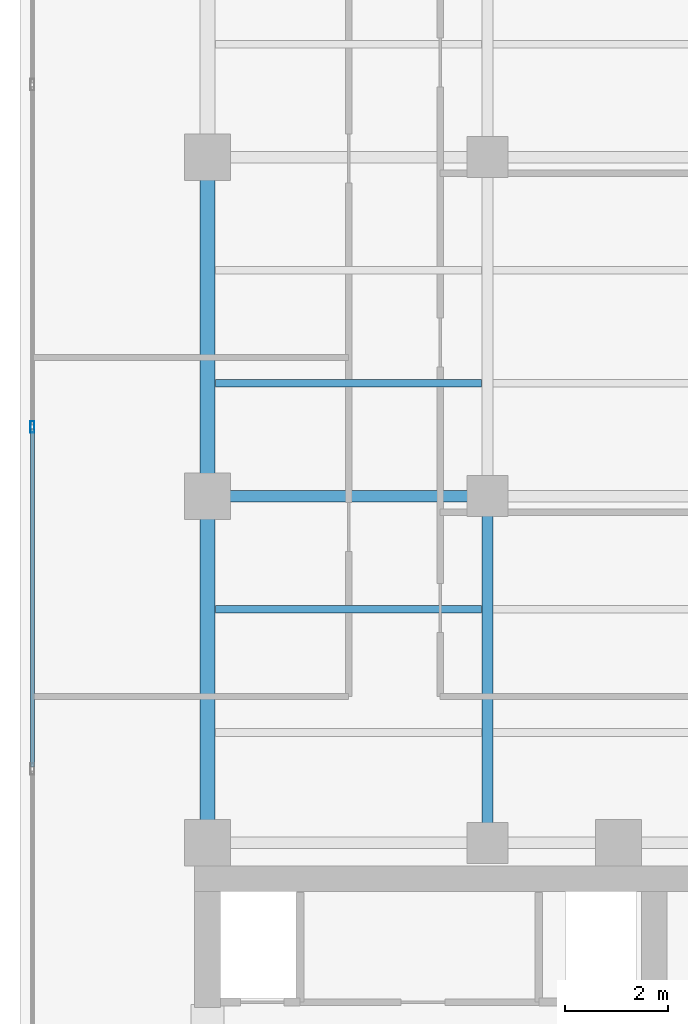
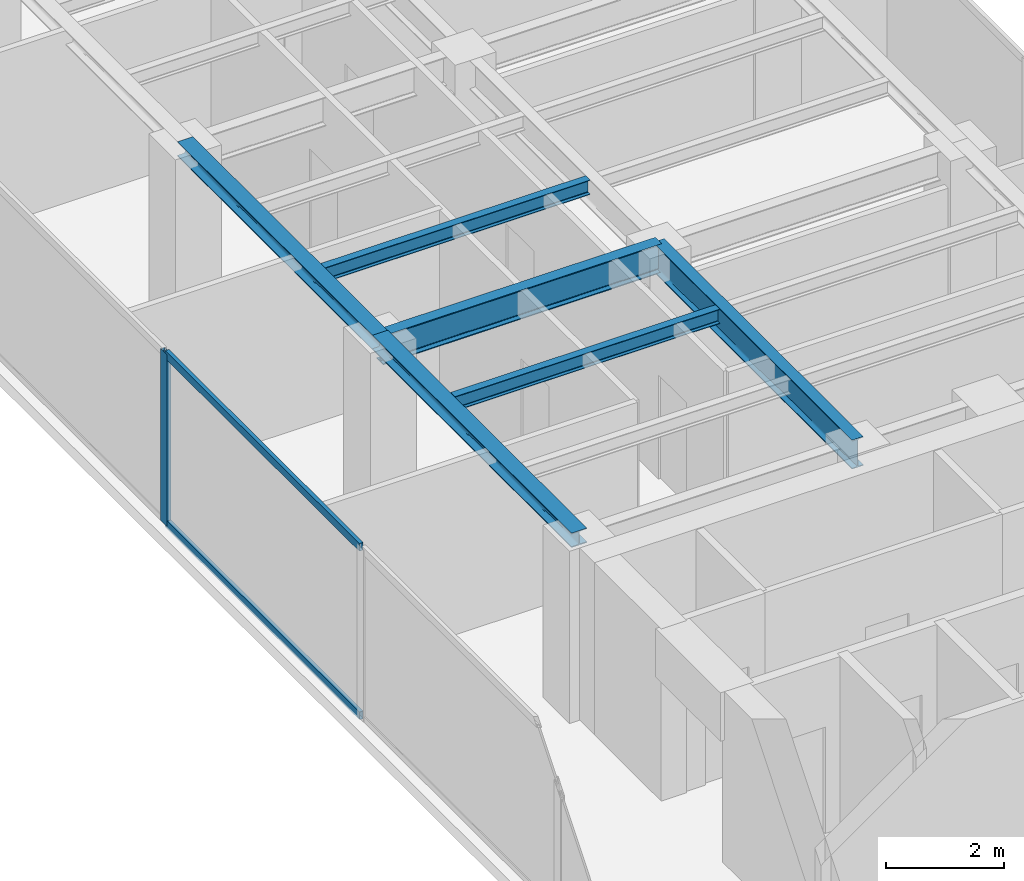
# One storey, part 8 of 22: 6 beams, 3 members, 1 element without a shape of its own.
"""IFC4 building model written with IfcOpenShell, lengths in metres."""

from ifc_helpers import new_model, si_unit, direction, frame, origin, origin_with_axes, origin_2d, place, context, subcontext, project, spatial, hollow_rectangle, i_section, extrude, source, transform, mapped, material, layer, layer_set, material_profile, profile_set, type_object, element, aggregate, save


model = new_model("IFC4")

# Units and contexts
model_context = context("Model", 3, precision=1e-05, world=origin(), true_north=direction((0.0, 1.0)))
body_context = subcontext(model_context, "Body", "Model", "MODEL_VIEW")
ifc_project = project(units=[si_unit("LENGTHUNIT", "METRE"), si_unit("AREAUNIT", "SQUARE_METRE"), si_unit("VOLUMEUNIT", "CUBIC_METRE"), si_unit("PLANEANGLEUNIT", "RADIAN"), si_unit("MASSUNIT", "GRAM", prefix="KILO")], contexts=[model_context])

# Site, building, storey
site_placement = place(None, origin())
site = spatial("IfcSite", under=ifc_project, at=site_placement, CompositionType="ELEMENT")
building_placement = place(site_placement, origin())
building = spatial("IfcBuilding", under=site, at=building_placement, Name="Kolvaren Waterfront Exchange", CompositionType="ELEMENT")
storey_placement = place(building_placement, frame((0.0, 0.0, 327.39990234375)))
storey = spatial("IfcBuildingStorey", under=building, at=storey_placement, Name="L84", CompositionType="ELEMENT", Elevation=327.39990234375)

# Beams
ifc_material_1 = material(Name="Steel S355", Category="steel")
ifc_material_profile_1 = material_profile(ifc_material_1, i_section(OverallWidth=0.300048828125, OverallDepth=0.300048828125, WebThickness=0.010986328125, FlangeThickness=0.01904296875, FilletRadius=0.027099609375, at=origin_2d()), Name="HEB300")
ifc_profile_set_1 = profile_set([ifc_material_profile_1], Name="Steel S355")
beam_type_1 = type_object("IfcBeamType", Name="STR-BM-HEB300", PredefinedType="SPANDREL", material=ifc_profile_set_1)
beam_1_placement = place(storey_placement, frame((7.449951171875, 24.449951171875, 3.41015625), z_axis=(0.0, 1.0, 0.0), x_axis=(-1.0, 0.0, 0.0)))
element("IfcBeam", 1, at=beam_1_placement, inside=storey, type_object=beam_type_1, Name="L84 north-arm edge beam 1", PredefinedType="SPANDREL", context=body_context, shape_type="SweptSolid", body=[
    extrude(i_section(OverallWidth=0.300048828125, OverallDepth=0.300048828125, WebThickness=0.010986328125, FlangeThickness=0.01904296875, FilletRadius=0.027099609375, at=origin_2d()), origin(), (0.0, 0.0, 1.0), 6.75),
])
beam_2_placement = place(storey_placement, frame((7.449951171875, 31.199951171875, 3.41015625), z_axis=(0.0, 1.0, 0.0), x_axis=(-1.0, 0.0, 0.0)))
element("IfcBeam", 2, at=beam_2_placement, inside=storey, type_object=beam_type_1, Name="L84 north-arm edge beam 2", PredefinedType="SPANDREL", context=body_context, shape_type="SweptSolid", body=[
    extrude(i_section(OverallWidth=0.300048828125, OverallDepth=0.300048828125, WebThickness=0.010986328125, FlangeThickness=0.01904296875, FilletRadius=0.027099609375, at=origin_2d()), origin(), (0.0, 0.0, 1.0), 6.60009765625),
])
ifc_material_profile_2 = material_profile(ifc_material_1, i_section(OverallWidth=0.14990234375, OverallDepth=0.300048828125, WebThickness=0.007080078125, FlangeThickness=0.0107421875, FilletRadius=0.014892578125, at=origin_2d()), Name="IPE300")
ifc_profile_set_2 = profile_set([ifc_material_profile_2], Name="Steel S355")
beam_type_2 = type_object("IfcBeamType", Name="STR-BM-IPE300", PredefinedType="JOIST", material=ifc_profile_set_2)
for number, where, z_axis, x_axis, name in (
    (3, (7.60205078125, 29.0, 3.41015625), (1.0, 0.0, 0.0), (0.0, 1.0, 0.0), "L84 north-arm composite joist 2A"),
    (4, (7.60205078125, 33.39990234375, 3.41015625), (1.0, 0.0, 0.0), (0.0, 1.0, 0.0), "L84 north-arm composite joist 3A"),
):
    element("IfcBeam", number, at=place(storey_placement, frame(where, z_axis=z_axis, x_axis=x_axis)), inside=storey, type_object=beam_type_2, Name=name, PredefinedType="JOIST", context=body_context, shape_type="SweptSolid", body=[
        extrude(i_section(OverallWidth=0.14990234375, OverallDepth=0.300048828125, WebThickness=0.007080078125, FlangeThickness=0.0107421875, FilletRadius=0.014892578125, at=origin_2d()), origin(), (0.0, 0.0, 1.0), 5.18603515625),
    ])
ifc_material_profile_3 = material_profile(ifc_material_1, i_section(OverallWidth=0.219970703125, OverallDepth=0.60009765625, WebThickness=0.011962890625, FlangeThickness=0.01904296875, FilletRadius=0.02392578125, at=origin_2d()), Name="IPE600")
ifc_profile_set_3 = profile_set([ifc_material_profile_3], Name="Steel S355")
beam_type_3 = type_object("IfcBeamType", Name="STR-BM-IPE600", PredefinedType="BEAM", material=ifc_profile_set_3)
beam_3_placement = place(storey_placement, frame((7.449951171875, 31.199951171875, 3.260009765625), z_axis=(1.0, 0.0, 0.0), x_axis=(0.0, 1.0, 0.0)))
element("IfcBeam", 5, at=beam_3_placement, inside=storey, type_object=beam_type_3, Name="L84 north-arm girder 2A", PredefinedType="BEAM", context=body_context, shape_type="SweptSolid", body=[
    extrude(i_section(OverallWidth=0.219970703125, OverallDepth=0.60009765625, WebThickness=0.011962890625, FlangeThickness=0.01904296875, FilletRadius=0.02392578125, at=origin_2d()), origin(), (0.0, 0.0, 1.0), 5.449951171875),
])
beam_4_placement = place(storey_placement, frame((12.89990234375, 24.449951171875, 3.260009765625), z_axis=(0.0, 1.0, 0.0), x_axis=(-1.0, 0.0, 0.0)))
element("IfcBeam", 6, at=beam_4_placement, inside=storey, type_object=beam_type_3, Name="L84 north-arm edge beam 1", PredefinedType="BEAM", context=body_context, shape_type="SweptSolid", body=[
    extrude(i_section(OverallWidth=0.219970703125, OverallDepth=0.60009765625, WebThickness=0.011962890625, FlangeThickness=0.01904296875, FilletRadius=0.02392578125, at=origin_2d()), origin(), (0.0, 0.0, 1.0), 6.75),
])

# Curtain wall, members
ifc_material_2 = material(Name="Anodised aluminium 6063-T6", Category="aluminium")
ifc_layer = layer(ifc_material_2, 0.219970703125, Name="Anodised aluminium 6063-T6")
ifc_layer_set = layer_set([ifc_layer], Name="Anodised aluminium 6063-T6")
curtain_wall_type = type_object("IfcCurtainWallType", Name="ARC-CW-SYS2", PredefinedType="USERDEFINED", material=ifc_layer_set)
curtain_wall_placement = place(storey_placement, origin())
curtain_wall = element("IfcCurtainWall", 7, at=curtain_wall_placement, inside=storey, type_object=curtain_wall_type, Name="L84 stick curtain wall CW2 (CW-L84-W)", ObjectType="STICK CURTAIN WALL", PredefinedType="USERDEFINED")
ifc_material_profile_4 = material_profile(ifc_material_2, hollow_rectangle(XDim=0.080078125, YDim=0.219970703125, WallThickness=0.0048828125, at=origin_2d()), Name="ALU-MUL-220x80x5")
ifc_profile_set_4 = profile_set([ifc_material_profile_4], Name="Anodised aluminium 6063-T6")
member_type_1 = type_object("IfcMemberType", Name="ARC-CWM-220", PredefinedType="MULLION", material=ifc_profile_set_4)
shared_shape_1 = source(origin_with_axes(), body_context, "Body", "SweptSolid", [
    extrude(hollow_rectangle(XDim=0.080078125, YDim=0.219970703125, WallThickness=0.0048828125, at=origin_2d()), origin(), (0.0, 0.0, 1.0), 3.56005859375),
])
member_1_placement = place(storey_placement, frame((4.0400390625, 32.549072265625, 0.0), z_axis=(0.0, 0.0, 1.0), x_axis=(-1.0, 0.0, 0.0)))
member_1 = element("IfcMember", 8, at=member_1_placement, type_object=member_type_1, Name="CW2 mullion 5", PredefinedType="MULLION", context=body_context, shape_type="MappedRepresentation", body=[
    mapped(shared_shape_1, transform((0.0, 0.0, 0.0), x_axis=(1.0, 0.0, 0.0), y_axis=(0.0, 1.0, 0.0), z_axis=(0.0, 0.0, 1.0), scale=1.0)),
])
ifc_material_profile_5 = material_profile(ifc_material_2, hollow_rectangle(XDim=0.074951171875, YDim=0.159912109375, WallThickness=0.00439453125, at=origin_2d()), Name="ALU-TRN-160x75x4.5")
ifc_profile_set_5 = profile_set([ifc_material_profile_5], Name="Anodised aluminium 6063-T6")
member_type_2 = type_object("IfcMemberType", Name="ARC-CWT-160", PredefinedType="USERDEFINED", material=ifc_profile_set_5)
shared_shape_2 = source(origin_with_axes(), body_context, "Body", "SweptSolid", [
    extrude(hollow_rectangle(XDim=0.074951171875, YDim=0.159912109375, WallThickness=0.00439453125, at=origin_2d()), origin(), (0.0, 0.0, 1.0), 6.582275390625),
])
member_2_placement = place(storey_placement, frame((4.0400390625, 25.9267578125, 0.03759765625), z_axis=(0.0, 1.0, 0.0), x_axis=(-1.0, 0.0, 0.0)))
member_2 = element("IfcMember", 9, at=member_2_placement, type_object=member_type_2, Name="CW2 transom 4.1", ObjectType="TRANSOM", PredefinedType="USERDEFINED", context=body_context, shape_type="MappedRepresentation", body=[
    mapped(shared_shape_2, transform((0.0, 0.0, 0.0), x_axis=(1.0, 0.0, 0.0), y_axis=(0.0, 1.0, 0.0), z_axis=(0.0, 0.0, 1.0), scale=1.0)),
])
member_3_placement = place(storey_placement, frame((4.0400390625, 25.9267578125, 3.522705078125), z_axis=(0.0, 1.0, 0.0), x_axis=(-1.0, 0.0, 0.0)))
member_3 = element("IfcMember", 10, at=member_3_placement, type_object=member_type_2, Name="CW2 transom 4.2", ObjectType="TRANSOM", PredefinedType="USERDEFINED", context=body_context, shape_type="MappedRepresentation", body=[
    mapped(shared_shape_2, transform((0.0, 0.0, 0.0), x_axis=(1.0, 0.0, 0.0), y_axis=(0.0, 1.0, 0.0), z_axis=(0.0, 0.0, 1.0), scale=1.0)),
])
aggregate(curtain_wall, [member_1, member_2, member_3])

save(model, "model.ifc")
